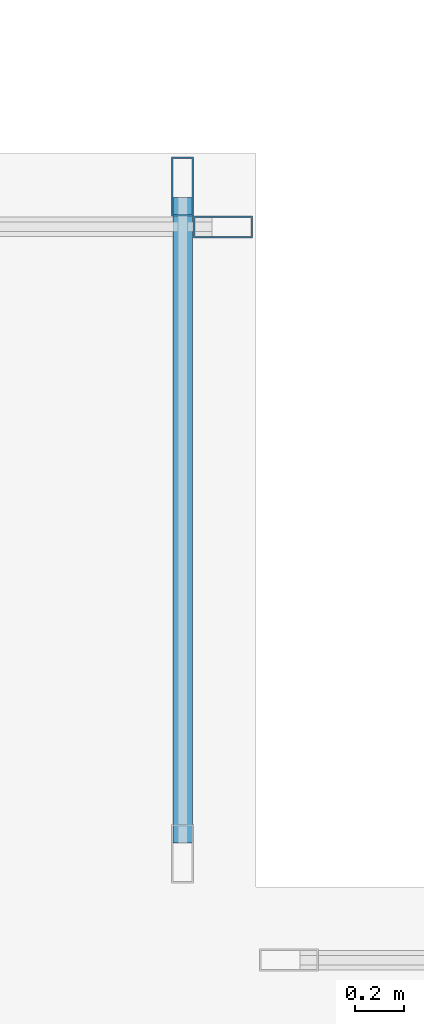
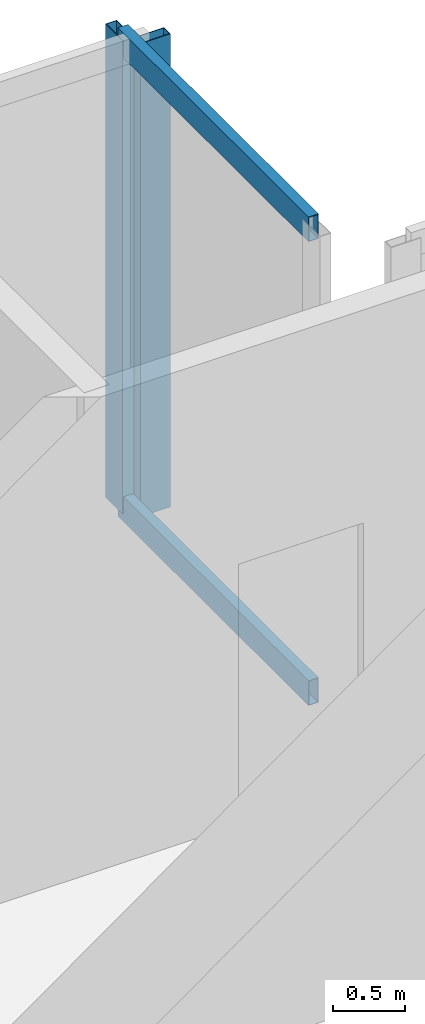
# One storey, part 10 of 16: 4 members, 2 elements without a shape of their own.
"""IFC4 building model written with IfcOpenShell, lengths in metres."""

from ifc_helpers import new_model, si_unit, direction, frame, origin, origin_2d, place, context, subcontext, project, spatial, hollow_rectangle, extrude, material, layer, layer_set, material_profile, profile_set, type_object, element, aggregate, save


model = new_model("IFC4")

# Units and contexts
model_context = context("Model", 3, precision=1e-05, world=origin(), true_north=direction((0.0, 1.0)))
body_context = subcontext(model_context, "Body", "Model", "MODEL_VIEW")
ifc_project = project(units=[si_unit("LENGTHUNIT", "METRE"), si_unit("AREAUNIT", "SQUARE_METRE"), si_unit("VOLUMEUNIT", "CUBIC_METRE"), si_unit("PLANEANGLEUNIT", "RADIAN"), si_unit("MASSUNIT", "GRAM", prefix="KILO"), si_unit("THERMODYNAMICTEMPERATUREUNIT", "KELVIN"), si_unit("POWERUNIT", "WATT")], contexts=[model_context])

# Site, building, storey
site_placement = place(None, origin())
site = spatial("IfcSite", under=ifc_project, at=site_placement, CompositionType="ELEMENT")
building_placement = place(site_placement, origin())
building = spatial("IfcBuilding", under=site, at=building_placement, Name="Svarakhadi Broadcast Tower", CompositionType="ELEMENT")
storey_placement = place(building_placement, frame((0.0, 0.0, 292.199951171875)))
storey = spatial("IfcBuildingStorey", under=building, at=storey_placement, Name="L74", CompositionType="ELEMENT", Elevation=292.199951171875)

# Curtain wall, member
ifc_material = material(Name="Anodised Bronze Aluminium AA 6063-T6", Category="aluminium")
ifc_layer = layer(ifc_material, 0.239990234375)
ifc_layer_set = layer_set([ifc_layer], Name="Anodised Bronze Aluminium AA 6063-T6")
curtain_wall_type = type_object("IfcCurtainWallType", Name="CW_Sys_06", PredefinedType="NOTDEFINED", material=ifc_layer_set)
curtain_wall_1_placement = place(storey_placement, origin())
curtain_wall_1 = element("IfcCurtainWall", 1, at=curtain_wall_1_placement, inside=storey, type_object=curtain_wall_type, Name="L74 Unitised Facade Curtain Wall 10", PredefinedType="NOTDEFINED")
ifc_material_profile_1 = material_profile(ifc_material, hollow_rectangle(XDim=0.090087890625, YDim=0.239990234375, WallThickness=0.006103515625, at=origin_2d()), Name="ALU MULLION 240x90x6")
ifc_profile_set_1 = profile_set([ifc_material_profile_1], Name="Anodised Bronze Aluminium AA 6063-T6")
member_type_1 = type_object("IfcMemberType", Name="CW_Sys_06_Mul", PredefinedType="MULLION", material=ifc_profile_set_1)
member_1_placement = place(storey_placement, frame((32.864990234375, 23.699951171875, 0.0), z_axis=(0.0, 0.0, 1.0), x_axis=(0.0, 1.0, 0.0)))
member_1 = element("IfcMember", 2, at=member_1_placement, type_object=member_type_1, Name="CW-06 mullion 2", PredefinedType="MULLION", context=body_context, shape_type="SweptSolid", body=[
    extrude(hollow_rectangle(XDim=0.090087890625, YDim=0.239990234375, WallThickness=0.006103515625, at=origin_2d()), origin(), (0.0, 0.0, 1.0), 4.0),
])
aggregate(curtain_wall_1, [member_1])

# Curtain wall, members
curtain_wall_2_placement = place(storey_placement, origin())
curtain_wall_2 = element("IfcCurtainWall", 3, at=curtain_wall_2_placement, inside=storey, type_object=curtain_wall_type, Name="L74 Unitised Facade Curtain Wall 11", PredefinedType="NOTDEFINED")
member_2_placement = place(storey_placement, frame((32.699951171875, 23.864990234375, 0.0), z_axis=(0.0, 0.0, 1.0), x_axis=(1.0, 0.0, 0.0)))
member_2 = element("IfcMember", 4, at=member_2_placement, type_object=member_type_1, Name="CW-06 mullion 1", PredefinedType="MULLION", context=body_context, shape_type="SweptSolid", body=[
    extrude(hollow_rectangle(XDim=0.090087890625, YDim=0.239990234375, WallThickness=0.006103515625, at=origin_2d()), origin(), (0.0, 0.0, 1.0), 4.0),
])
ifc_material_profile_2 = material_profile(ifc_material, hollow_rectangle(XDim=0.080078125, YDim=0.2099609375, WallThickness=0.0048828125, at=origin_2d()), Name="ALU TRANSOM 210x80x5")
ifc_profile_set_2 = profile_set([ifc_material_profile_2], Name="Anodised Bronze Aluminium AA 6063-T6")
member_type_2 = type_object("IfcMemberType", Name="CW_Sys_06_Trn", PredefinedType="USERDEFINED", material=ifc_profile_set_2)
member_3_placement = place(storey_placement, frame((32.699951171875, 23.820068359375, 0.0400390625), z_axis=(0.0, -1.0, 0.0), x_axis=(1.0, 0.0, 0.0)))
member_3 = element("IfcMember", 5, at=member_3_placement, type_object=member_type_2, Name="CW-06 transom 1.1", ObjectType="TRANSOM", PredefinedType="USERDEFINED", context=body_context, shape_type="SweptSolid", body=[
    extrude(hollow_rectangle(XDim=0.080078125, YDim=0.2099609375, WallThickness=0.0048828125, at=origin_2d()), origin(), (0.0, 0.0, 1.0), 2.64013671875),
])
member_4_placement = place(storey_placement, frame((32.699951171875, 23.820068359375, 3.9599609375), z_axis=(0.0, -1.0, 0.0), x_axis=(1.0, 0.0, 0.0)))
member_4 = element("IfcMember", 6, at=member_4_placement, type_object=member_type_2, Name="CW-06 transom 1.2", ObjectType="TRANSOM", PredefinedType="USERDEFINED", context=body_context, shape_type="SweptSolid", body=[
    extrude(hollow_rectangle(XDim=0.080078125, YDim=0.2099609375, WallThickness=0.0048828125, at=origin_2d()), origin(), (0.0, 0.0, 1.0), 2.64013671875),
])
aggregate(curtain_wall_2, [member_2, member_3, member_4])

save(model, "model.ifc")
